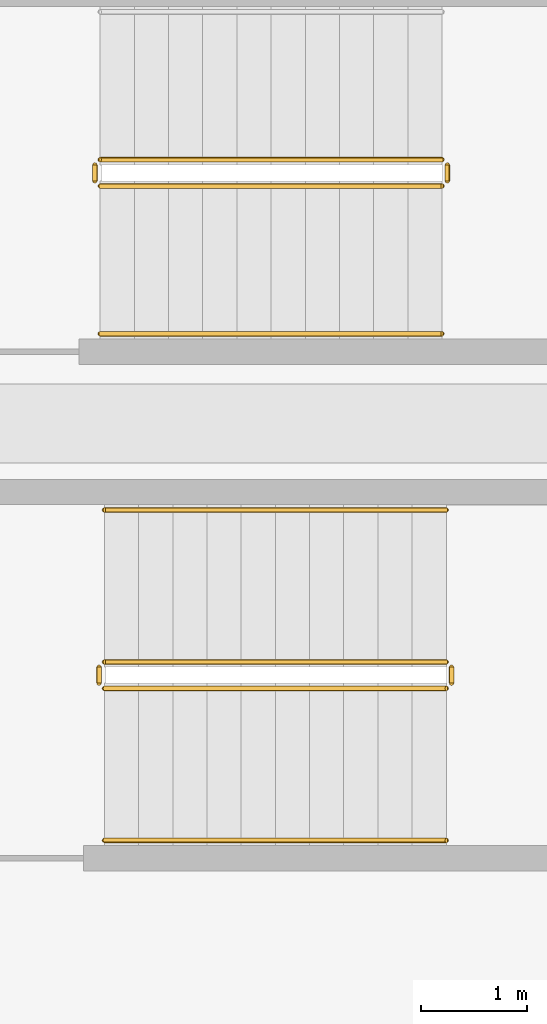
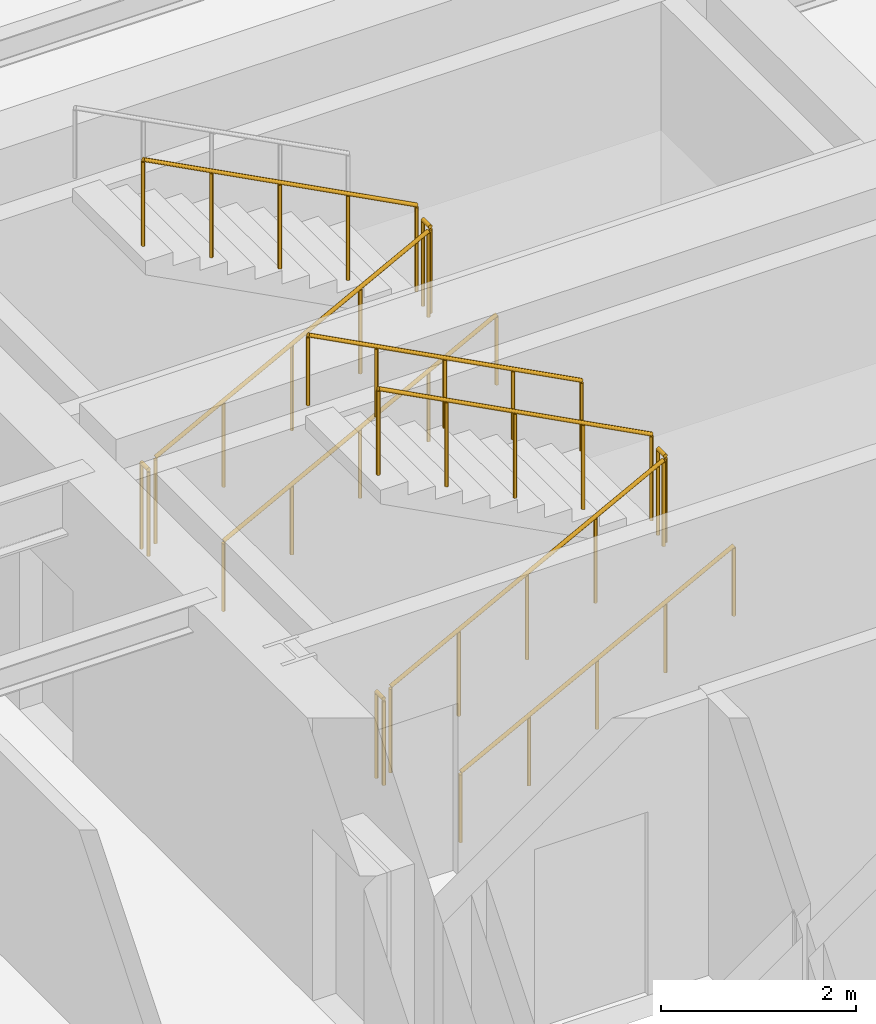
# One storey, part 11 of 12: 11 railings.
"""IFC4 building model written with IfcOpenShell, lengths in metres."""

from ifc_helpers import new_model, si_unit, direction, frame, origin, origin_2d, place, context, subcontext, project, spatial, circle, extrude, material, type_object, element, save


model = new_model("IFC4")

# Units and contexts
model_context = context("Model", 3, precision=1e-05, world=origin(), true_north=direction((0.0, 1.0)))
body_context = subcontext(model_context, "Body", "Model", "MODEL_VIEW")
ifc_project = project(units=[si_unit("LENGTHUNIT", "METRE"), si_unit("AREAUNIT", "SQUARE_METRE"), si_unit("VOLUMEUNIT", "CUBIC_METRE"), si_unit("PLANEANGLEUNIT", "RADIAN"), si_unit("MASSUNIT", "GRAM", prefix="KILO")], contexts=[model_context])

# Site, building, storey
site_placement = place(None, origin())
site = spatial("IfcSite", under=ifc_project, at=site_placement, CompositionType="ELEMENT")
building_placement = place(site_placement, origin())
building = spatial("IfcBuilding", under=site, at=building_placement, Name="Kolvaren Arena Tower", CompositionType="ELEMENT")
storey_placement = place(building_placement, frame((0.0, 0.0, 177.199951171875)))
storey = spatial("IfcBuildingStorey", under=building, at=storey_placement, Name="L42", CompositionType="ELEMENT", Elevation=177.199951171875)

# Railings
ifc_material_1 = material(Name="Painted galvanized steel", Category="steel")
railing_type_1 = type_object("IfcRailingType", Name="GUARD-ST-110", PredefinedType="GUARDRAIL", material=ifc_material_1)
railing_1_placement = place(storey_placement, frame((52.719970703125, 31.639892578125, 0.17041015625)))
element("IfcRailing", 1, at=railing_1_placement, inside=storey, type_object=railing_type_1, Name="L42 ST-E1 stair guard 1", PredefinedType="GUARDRAIL", context=body_context, shape_type="SweptSolid", body=[
    extrude(circle(Radius=0.02392578125, at=origin_2d()), frame((0.0, 0.0, 1.076171875), z_axis=(0.884993431791, 0.0, 0.465603506952), x_axis=(0.0, 1.0, 0.0)), (0.0, 0.0, 1.0), 3.6611328125),
    extrude(circle(Radius=0.02099609375, at=origin_2d()), origin(), (0.0, 0.0, 1.0), 1.052001953125),
    extrude(circle(Radius=0.02099609375, at=origin_2d()), frame((0.81005859375, 0.0, 0.42626953125)), (0.0, 0.0, 1.0), 1.052001953125),
    extrude(circle(Radius=0.02099609375, at=origin_2d()), frame((1.6201171875, 0.0, 0.852294921875)), (0.0, 0.0, 1.0), 1.052001953125),
    extrude(circle(Radius=0.02099609375, at=origin_2d()), frame((2.429931640625, 0.0, 1.2783203125)), (0.0, 0.0, 1.0), 1.052001953125),
    extrude(circle(Radius=0.02099609375, at=origin_2d()), frame((3.239990234375, 0.0, 1.70458984375)), (0.0, 0.0, 1.0), 1.052001953125),
])
railing_2_placement = place(storey_placement, frame((56.010009765625, 31.68994140625, 1.875)))
element("IfcRailing", 2, at=railing_2_placement, inside=storey, type_object=railing_type_1, Name="L42 ST-E1 stair guard 2", PredefinedType="GUARDRAIL", context=body_context, shape_type="SweptSolid", body=[
    extrude(circle(Radius=0.02392578125, at=origin_2d()), frame((0.0, 0.0, 1.076171875), z_axis=(0.0, 1.0, 0.0), x_axis=(-1.0, 0.0, 0.0)), (0.0, 0.0, 1.0), 0.150146484375),
    extrude(circle(Radius=0.02099609375, at=origin_2d()), origin(), (0.0, 0.0, 1.0), 1.052001953125),
    extrude(circle(Radius=0.02099609375, at=origin_2d()), frame((0.0, 0.150146484375, 0.0)), (0.0, 0.0, 1.0), 1.052001953125),
])
railing_3_placement = place(storey_placement, frame((55.9599609375, 31.889892578125, 2.04541015625)))
element("IfcRailing", 3, at=railing_3_placement, inside=storey, type_object=railing_type_1, Name="L42 ST-E1 stair guard 3", PredefinedType="GUARDRAIL", context=body_context, shape_type="SweptSolid", body=[
    extrude(circle(Radius=0.02392578125, at=origin_2d()), frame((0.0, 0.0, 1.076171875), z_axis=(-0.884993431791, 0.0, 0.465603506952), x_axis=(0.0, -1.0, 0.0)), (0.0, 0.0, 1.0), 3.6611328125),
    extrude(circle(Radius=0.02099609375, at=origin_2d()), origin(), (0.0, 0.0, 1.0), 1.052001953125),
    extrude(circle(Radius=0.02099609375, at=origin_2d()), frame((-0.81005859375, 0.0, 0.42626953125)), (0.0, 0.0, 1.0), 1.052001953125),
    extrude(circle(Radius=0.02099609375, at=origin_2d()), frame((-1.6201171875, 0.0, 0.852294921875)), (0.0, 0.0, 1.0), 1.052001953125),
    extrude(circle(Radius=0.02099609375, at=origin_2d()), frame((-2.429931640625, 0.0, 1.2783203125)), (0.0, 0.0, 1.0), 1.052001953125),
    extrude(circle(Radius=0.02099609375, at=origin_2d()), frame((-3.239990234375, 0.0, 1.70458984375)), (0.0, 0.0, 1.0), 1.052001953125),
])
railing_4_placement = place(storey_placement, frame((52.669921875, 31.68994140625, 0.0)))
element("IfcRailing", 4, at=railing_4_placement, inside=storey, type_object=railing_type_1, Name="L42 ST-E1 stair guard 4", PredefinedType="GUARDRAIL", context=body_context, shape_type="SweptSolid", body=[
    extrude(circle(Radius=0.02392578125, at=origin_2d()), frame((0.0, 0.0, 1.076171875), z_axis=(0.0, 1.0, 0.0), x_axis=(-1.0, 0.0, 0.0)), (0.0, 0.0, 1.0), 0.150146484375),
    extrude(circle(Radius=0.02099609375, at=origin_2d()), origin(), (0.0, 0.0, 1.0), 1.052001953125),
    extrude(circle(Radius=0.02099609375, at=origin_2d()), frame((0.0, 0.150146484375, 0.0)), (0.0, 0.0, 1.0), 1.052001953125),
])
railing_5_placement = place(storey_placement, frame((52.679931640625, 36.39990234375, 0.17041015625)))
element("IfcRailing", 5, at=railing_5_placement, inside=storey, type_object=railing_type_1, Name="L42 ST-E2 stair guard 1", PredefinedType="GUARDRAIL", context=body_context, shape_type="SweptSolid", body=[
    extrude(circle(Radius=0.02392578125, at=origin_2d()), frame((0.0, 0.0, 1.076171875), z_axis=(0.884993431791, 0.0, 0.465603506952), x_axis=(0.0, 1.0, 0.0)), (0.0, 0.0, 1.0), 3.6611328125),
    extrude(circle(Radius=0.02099609375, at=origin_2d()), origin(), (0.0, 0.0, 1.0), 1.052001953125),
    extrude(circle(Radius=0.02099609375, at=origin_2d()), frame((0.81005859375, 0.0, 0.42626953125)), (0.0, 0.0, 1.0), 1.052001953125),
    extrude(circle(Radius=0.02099609375, at=origin_2d()), frame((1.6201171875, 0.0, 0.852294921875)), (0.0, 0.0, 1.0), 1.052001953125),
    extrude(circle(Radius=0.02099609375, at=origin_2d()), frame((2.429931640625, 0.0, 1.2783203125)), (0.0, 0.0, 1.0), 1.052001953125),
    extrude(circle(Radius=0.02099609375, at=origin_2d()), frame((3.239990234375, 0.0, 1.70458984375)), (0.0, 0.0, 1.0), 1.052001953125),
])
railing_6_placement = place(storey_placement, frame((55.969970703125, 36.449951171875, 1.875)))
element("IfcRailing", 6, at=railing_6_placement, inside=storey, type_object=railing_type_1, Name="L42 ST-E2 stair guard 2", PredefinedType="GUARDRAIL", context=body_context, shape_type="SweptSolid", body=[
    extrude(circle(Radius=0.02392578125, at=origin_2d()), frame((0.0, 0.0, 1.076171875), z_axis=(0.0, 1.0, 0.0), x_axis=(-1.0, 0.0, 0.0)), (0.0, 0.0, 1.0), 0.150146484375),
    extrude(circle(Radius=0.02099609375, at=origin_2d()), origin(), (0.0, 0.0, 1.0), 1.052001953125),
    extrude(circle(Radius=0.02099609375, at=origin_2d()), frame((0.0, 0.150146484375, 0.0)), (0.0, 0.0, 1.0), 1.052001953125),
])
railing_7_placement = place(storey_placement, frame((55.919921875, 36.64990234375, 2.04541015625)))
element("IfcRailing", 7, at=railing_7_placement, inside=storey, type_object=railing_type_1, Name="L42 ST-E2 stair guard 3", PredefinedType="GUARDRAIL", context=body_context, shape_type="SweptSolid", body=[
    extrude(circle(Radius=0.02392578125, at=origin_2d()), frame((0.0, 0.0, 1.076171875), z_axis=(-0.884993431791, 0.0, 0.465603506952), x_axis=(0.0, -1.0, 0.0)), (0.0, 0.0, 1.0), 3.6611328125),
    extrude(circle(Radius=0.02099609375, at=origin_2d()), origin(), (0.0, 0.0, 1.0), 1.052001953125),
    extrude(circle(Radius=0.02099609375, at=origin_2d()), frame((-0.81005859375, 0.0, 0.42626953125)), (0.0, 0.0, 1.0), 1.052001953125),
    extrude(circle(Radius=0.02099609375, at=origin_2d()), frame((-1.6201171875, 0.0, 0.852294921875)), (0.0, 0.0, 1.0), 1.052001953125),
    extrude(circle(Radius=0.02099609375, at=origin_2d()), frame((-2.429931640625, 0.0, 1.2783203125)), (0.0, 0.0, 1.0), 1.052001953125),
    extrude(circle(Radius=0.02099609375, at=origin_2d()), frame((-3.239990234375, 0.0, 1.70458984375)), (0.0, 0.0, 1.0), 1.052001953125),
])
railing_8_placement = place(storey_placement, frame((52.6298828125, 36.449951171875, 0.0)))
element("IfcRailing", 8, at=railing_8_placement, inside=storey, type_object=railing_type_1, Name="L42 ST-E2 stair guard 4", PredefinedType="GUARDRAIL", context=body_context, shape_type="SweptSolid", body=[
    extrude(circle(Radius=0.02392578125, at=origin_2d()), frame((0.0, 0.0, 1.076171875), z_axis=(0.0, 1.0, 0.0), x_axis=(-1.0, 0.0, 0.0)), (0.0, 0.0, 1.0), 0.150146484375),
    extrude(circle(Radius=0.02099609375, at=origin_2d()), origin(), (0.0, 0.0, 1.0), 1.052001953125),
    extrude(circle(Radius=0.02099609375, at=origin_2d()), frame((0.0, 0.150146484375, 0.0)), (0.0, 0.0, 1.0), 1.052001953125),
])
ifc_material_2 = material(Name="Brushed stainless steel handrail", Category="steel")
railing_type_2 = type_object("IfcRailingType", Name="HRAIL-900", PredefinedType="HANDRAIL", material=ifc_material_2)
railing_9_placement = place(storey_placement, frame((52.719970703125, 30.199951171875, 0.17041015625)))
element("IfcRailing", 9, at=railing_9_placement, inside=storey, type_object=railing_type_2, Name="L42 ST-E1 stair handrail 1", PredefinedType="HANDRAIL", context=body_context, shape_type="SweptSolid", body=[
    extrude(circle(Radius=0.02392578125, at=origin_2d()), frame((0.0, 0.0, 0.8759765625), z_axis=(0.884993431791, 0.0, 0.465603506952), x_axis=(0.0, 1.0, 0.0)), (0.0, 0.0, 1.0), 3.6611328125),
    extrude(circle(Radius=0.02099609375, at=origin_2d()), origin(), (0.0, 0.0, 1.0), 0.851806640625),
    extrude(circle(Radius=0.02099609375, at=origin_2d()), frame((0.81005859375, 0.0, 0.42626953125)), (0.0, 0.0, 1.0), 0.851806640625),
    extrude(circle(Radius=0.02099609375, at=origin_2d()), frame((1.6201171875, 0.0, 0.852294921875)), (0.0, 0.0, 1.0), 0.851806640625),
    extrude(circle(Radius=0.02099609375, at=origin_2d()), frame((2.429931640625, 0.0, 1.2783203125)), (0.0, 0.0, 1.0), 0.851806640625),
    extrude(circle(Radius=0.02099609375, at=origin_2d()), frame((3.239990234375, 0.0, 1.70458984375)), (0.0, 0.0, 1.0), 0.851806640625),
])
railing_10_placement = place(storey_placement, frame((55.9599609375, 33.330078125, 2.04541015625)))
element("IfcRailing", 10, at=railing_10_placement, inside=storey, type_object=railing_type_2, Name="L42 ST-E1 stair handrail 2", PredefinedType="HANDRAIL", context=body_context, shape_type="SweptSolid", body=[
    extrude(circle(Radius=0.02392578125, at=origin_2d()), frame((0.0, 0.0, 0.8759765625), z_axis=(-0.884993431791, 0.0, 0.465603506952), x_axis=(0.0, -1.0, 0.0)), (0.0, 0.0, 1.0), 3.6611328125),
    extrude(circle(Radius=0.02099609375, at=origin_2d()), origin(), (0.0, 0.0, 1.0), 0.851806640625),
    extrude(circle(Radius=0.02099609375, at=origin_2d()), frame((-0.81005859375, 0.0, 0.42626953125)), (0.0, 0.0, 1.0), 0.851806640625),
    extrude(circle(Radius=0.02099609375, at=origin_2d()), frame((-1.6201171875, 0.0, 0.852294921875)), (0.0, 0.0, 1.0), 0.851806640625),
    extrude(circle(Radius=0.02099609375, at=origin_2d()), frame((-2.429931640625, 0.0, 1.2783203125)), (0.0, 0.0, 1.0), 0.851806640625),
    extrude(circle(Radius=0.02099609375, at=origin_2d()), frame((-3.239990234375, 0.0, 1.70458984375)), (0.0, 0.0, 1.0), 0.851806640625),
])
railing_11_placement = place(storey_placement, frame((52.679931640625, 35.0, 0.17041015625)))
element("IfcRailing", 11, at=railing_11_placement, inside=storey, type_object=railing_type_2, Name="L42 ST-E2 stair handrail 1", PredefinedType="HANDRAIL", context=body_context, shape_type="SweptSolid", body=[
    extrude(circle(Radius=0.02392578125, at=origin_2d()), frame((0.0, 0.0, 0.8759765625), z_axis=(0.884993431791, 0.0, 0.465603506952), x_axis=(0.0, 1.0, 0.0)), (0.0, 0.0, 1.0), 3.6611328125),
    extrude(circle(Radius=0.02099609375, at=origin_2d()), origin(), (0.0, 0.0, 1.0), 0.851806640625),
    extrude(circle(Radius=0.02099609375, at=origin_2d()), frame((0.81005859375, 0.0, 0.42626953125)), (0.0, 0.0, 1.0), 0.851806640625),
    extrude(circle(Radius=0.02099609375, at=origin_2d()), frame((1.6201171875, 0.0, 0.852294921875)), (0.0, 0.0, 1.0), 0.851806640625),
    extrude(circle(Radius=0.02099609375, at=origin_2d()), frame((2.429931640625, 0.0, 1.2783203125)), (0.0, 0.0, 1.0), 0.851806640625),
    extrude(circle(Radius=0.02099609375, at=origin_2d()), frame((3.239990234375, 0.0, 1.70458984375)), (0.0, 0.0, 1.0), 0.851806640625),
])

save(model, "model.ifc")
